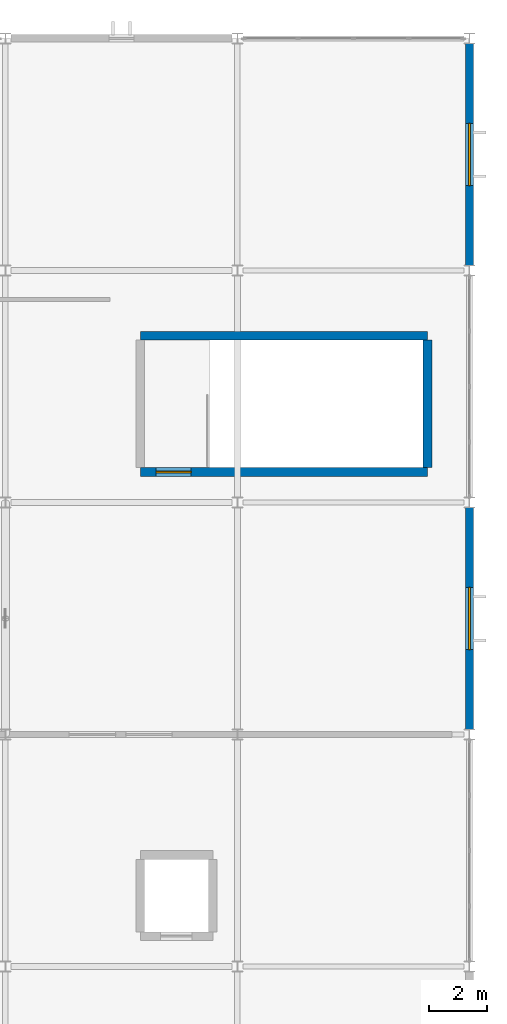
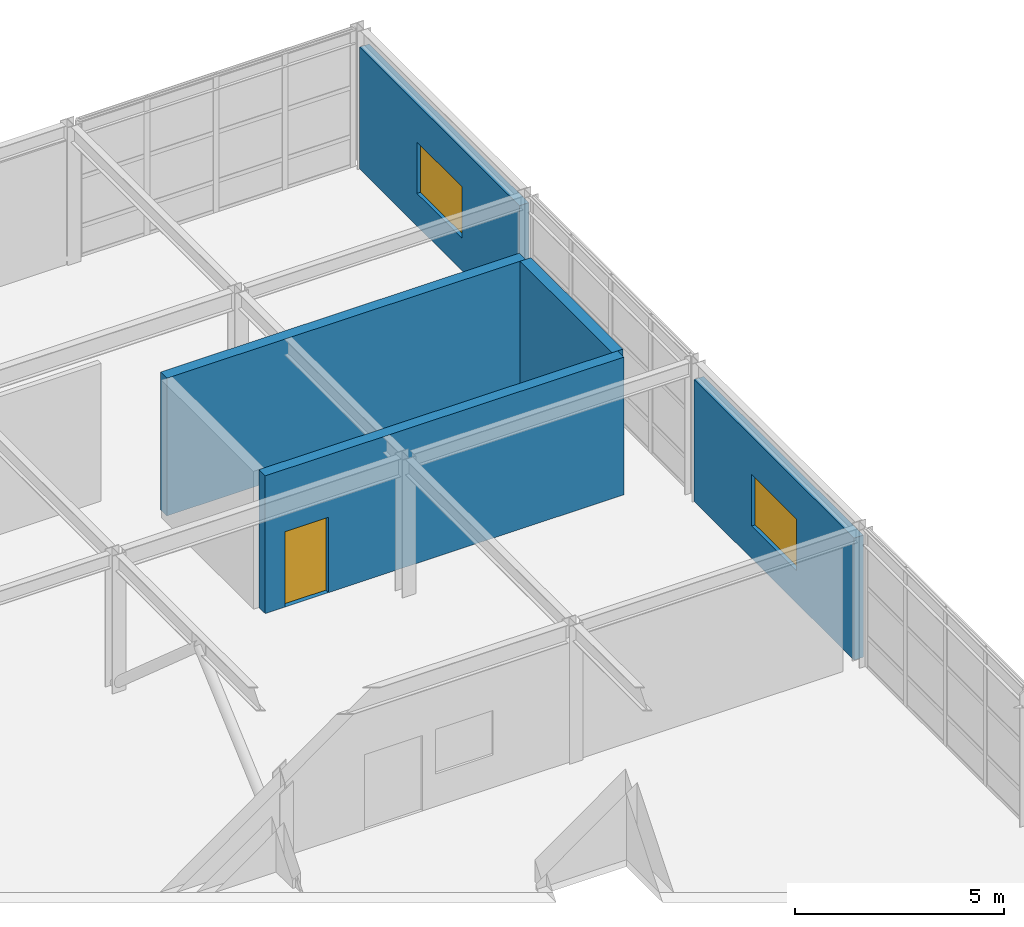
# One storey, part 30 of 34: 5 walls, 2 windows, 1 door, 3 openings.
"""IFC4 building model written with IfcOpenShell, lengths in metres."""

from ifc_helpers import new_model, si_unit, direction, frame, frame_2d, origin, place, context, subcontext, project, spatial, rectangle, extrude, material, layer, layer_set, type_object, element, fill, save


model = new_model("IFC4")

# Units and contexts
model_context = context("Model", 3, precision=1e-05, world=origin(), true_north=direction((0.0, 1.0)))
body_context = subcontext(model_context, "Body", "Model", "MODEL_VIEW")
ifc_project = project(units=[si_unit("LENGTHUNIT", "METRE"), si_unit("AREAUNIT", "SQUARE_METRE"), si_unit("VOLUMEUNIT", "CUBIC_METRE"), si_unit("PLANEANGLEUNIT", "RADIAN"), si_unit("MASSUNIT", "GRAM", prefix="KILO")], contexts=[model_context])

# Site, building, storey
site_placement = place(None, origin())
site = spatial("IfcSite", under=ifc_project, at=site_placement, CompositionType="ELEMENT")
building_placement = place(site_placement, origin())
building = spatial("IfcBuilding", under=site, at=building_placement, Name="Varnela Railside Interchange", CompositionType="ELEMENT")
storey_placement = place(building_placement, frame((0.0, 0.0, 19.60009765625)))
storey = spatial("IfcBuildingStorey", under=building, at=storey_placement, Name="L04", CompositionType="ELEMENT", Elevation=19.60009765625)

# Wall
ifc_material_1 = material(Name="Concrete C50", Category="concrete")
ifc_layer_1 = layer(ifc_material_1, 0.300048828125)
ifc_layer_set_1 = layer_set([ifc_layer_1], Name="Concrete C50")
wall_type_1 = type_object("IfcWallType", Name="Stair & Lift Shaft Wall SW-03", PredefinedType="SHEAR", material=ifc_layer_set_1)
wall_1_placement = place(storey_placement, frame((128.64990234375, 83.75, 0.0), z_axis=(0.0, 0.0, 1.0), x_axis=(1.0, 0.0, 0.0)))
element("IfcWall", 1, at=wall_1_placement, inside=storey, type_object=wall_type_1, Name="Stair & Lift Shaft Wall SW-03 (L04) (WL-0922)", PredefinedType="SHEAR", context=body_context, shape_type="SweptSolid", body=[
    extrude(rectangle(XDim=9.900146484375, YDim=0.300048828125, at=frame_2d((4.9501953125, 0.0))), origin(), (0.0, 0.0, 1.0), 4.02001953125),
])

# Wall, opening, door
wall_2_placement = place(storey_placement, frame((128.64990234375, 79.050048828125, 0.0), z_axis=(0.0, 0.0, 1.0), x_axis=(1.0, 0.0, 0.0)))
wall_2 = element("IfcWall", 2, at=wall_2_placement, inside=storey, type_object=wall_type_1, Name="Stair & Lift Shaft Wall SW-03 (L04) (WL-0923)", PredefinedType="SHEAR", context=body_context, shape_type="SweptSolid", body=[
    extrude(rectangle(XDim=9.900146484375, YDim=0.300048828125, at=frame_2d((4.9501953125, 0.0))), origin(), (0.0, 0.0, 1.0), 4.02001953125),
])
opening_1_placement = place(wall_2_placement, frame((0.550048828125, 0.0, 0.0)))
opening_1 = element("IfcOpeningElement", 3, at=opening_1_placement, cuts=wall_2, Name="Opening D-266", PredefinedType="OPENING", context=body_context, shape_type="SweptSolid", body=[
    extrude(rectangle(XDim=1.199951171875, YDim=2.199951171875, at=frame_2d((0.60009765625, 1.10009765625))), frame((0.0, 0.159912109375, 0.0), z_axis=(0.0, -1.0, 0.0), x_axis=(1.0, 0.0, 0.0)), (0.0, 0.0, 1.0), 0.320068359375),
])
ifc_material_2 = material(Name="Steel AR 350 (350 MPa)", Category="steel")
door_type = type_object("IfcDoorType", Name="DR-SGL-1200-FD90", OperationType="NOTDEFINED", PredefinedType="DOOR", material=ifc_material_2)
door_placement = place(opening_1_placement, origin())
door = element("IfcDoor", 4, at=door_placement, inside=storey, type_object=door_type, Name="Door D-266", OperationType="SINGLE_SWING_LEFT", OverallHeight=2.199951171875, OverallWidth=1.199951171875, PredefinedType="DOOR", context=body_context, shape_type="SweptSolid", body=[
    extrude(rectangle(XDim=1.199951171875, YDim=2.199951171875, at=frame_2d((0.60009765625, 1.10009765625))), frame((0.0, 0.02490234375, 0.0), z_axis=(0.0, -1.0, 0.0), x_axis=(1.0, 0.0, 0.0)), (0.0, 0.0, 1.0), 0.050048828125),
])
fill(opening_1, door)

# Wall
wall_3_placement = place(storey_placement, frame((138.550048828125, 79.199951171875, 0.0), z_axis=(0.0, 0.0, 1.0), x_axis=(0.0, 1.0, 0.0)))
element("IfcWall", 5, at=wall_3_placement, inside=storey, type_object=wall_type_1, Name="Stair & Lift Shaft Wall SW-03 (L04) (WL-0921)", PredefinedType="SHEAR", context=body_context, shape_type="SweptSolid", body=[
    extrude(rectangle(XDim=4.400146484375, YDim=0.300048828125, at=frame_2d((2.2001953125, 0.0))), origin(), (0.0, 0.0, 1.0), 4.02001953125),
])

# Wall, opening, window
ifc_material_3 = material(Name="Concrete C40 precast", Category="concrete")
ifc_layer_2 = layer(ifc_material_3, 0.260009765625)
ifc_layer_set_2 = layer_set([ifc_layer_2], Name="Concrete C40 precast")
wall_type_2 = type_object("IfcWallType", Name="Terracotta Precast Study Facade Wall EW-03", PredefinedType="STANDARD", material=ifc_layer_set_2)
wall_4_placement = place(storey_placement, frame((140.0, 93.820068359375, 0.0), z_axis=(0.0, 0.0, 1.0), x_axis=(0.0, -1.0, 0.0)))
wall_4 = element("IfcWall", 6, at=wall_4_placement, inside=storey, type_object=wall_type_2, Name="Terracotta Precast Study Facade Wall EW-03 (L04) (WL-0883)", PredefinedType="STANDARD", context=body_context, shape_type="SweptSolid", body=[
    extrude(rectangle(XDim=7.64013671875, YDim=0.260009765625, at=frame_2d((3.820068359375, 0.0))), origin(), (0.0, 0.0, 1.0), 3.559814453125),
])
opening_2_placement = place(wall_4_placement, frame((2.7451171875, 0.0, 0.949951171875)))
opening_2 = element("IfcOpeningElement", 7, at=opening_2_placement, cuts=wall_4, Name="Opening W-127", PredefinedType="OPENING", context=body_context, shape_type="SweptSolid", body=[
    extrude(rectangle(XDim=2.14990234375, YDim=1.5, at=frame_2d((1.074951171875, 0.75))), frame((0.0, 0.139892578125, 0.0), z_axis=(0.0, -1.0, 0.0), x_axis=(1.0, 0.0, 0.0)), (0.0, 0.0, 1.0), 0.280029296875),
])
ifc_material_4 = material(Name="Glass laminated double", Category="glass")
window_type = type_object("IfcWindowType", Name="Cycle Workshop Louvre Win WN-22", PartitioningType="SINGLE_PANEL", PredefinedType="WINDOW", material=ifc_material_4)
window_1_placement = place(opening_2_placement, origin())
window_1 = element("IfcWindow", 8, at=window_1_placement, inside=storey, type_object=window_type, Name="Window W-127", OverallHeight=1.5, OverallWidth=2.14990234375, PartitioningType="SINGLE_PANEL", PredefinedType="WINDOW", context=body_context, shape_type="SweptSolid", body=[
    extrude(rectangle(XDim=2.14990234375, YDim=1.5, at=frame_2d((1.074951171875, 0.75))), frame((0.0, 0.030029296875, 0.0), z_axis=(0.0, -1.0, 0.0), x_axis=(1.0, 0.0, 0.0)), (0.0, 0.0, 1.0), 0.06005859375),
])
fill(opening_2, window_1)

wall_5_placement = place(storey_placement, frame((140.0, 77.820068359375, 0.0), z_axis=(0.0, 0.0, 1.0), x_axis=(0.0, -1.0, 0.0)))
wall_5 = element("IfcWall", 9, at=wall_5_placement, inside=storey, type_object=wall_type_2, Name="Terracotta Precast Study Facade Wall EW-03 (L04) (WL-0884)", PredefinedType="STANDARD", context=body_context, shape_type="SweptSolid", body=[
    extrude(rectangle(XDim=7.64013671875, YDim=0.260009765625, at=frame_2d((3.820068359375, 0.0))), origin(), (0.0, 0.0, 1.0), 3.559814453125),
])
opening_3_placement = place(wall_5_placement, frame((2.7451171875, 0.0, 0.949951171875)))
opening_3 = element("IfcOpeningElement", 10, at=opening_3_placement, cuts=wall_5, Name="Opening W-128", PredefinedType="OPENING", context=body_context, shape_type="SweptSolid", body=[
    extrude(rectangle(XDim=2.14990234375, YDim=1.5, at=frame_2d((1.074951171875, 0.75))), frame((0.0, 0.139892578125, 0.0), z_axis=(0.0, -1.0, 0.0), x_axis=(1.0, 0.0, 0.0)), (0.0, 0.0, 1.0), 0.280029296875),
])
window_2_placement = place(opening_3_placement, origin())
window_2 = element("IfcWindow", 11, at=window_2_placement, inside=storey, type_object=window_type, Name="Window W-128", OverallHeight=1.5, OverallWidth=2.14990234375, PartitioningType="SINGLE_PANEL", PredefinedType="WINDOW", context=body_context, shape_type="SweptSolid", body=[
    extrude(rectangle(XDim=2.14990234375, YDim=1.5, at=frame_2d((1.074951171875, 0.75))), frame((0.0, 0.030029296875, 0.0), z_axis=(0.0, -1.0, 0.0), x_axis=(1.0, 0.0, 0.0)), (0.0, 0.0, 1.0), 0.06005859375),
])
fill(opening_3, window_2)

save(model, "model.ifc")
